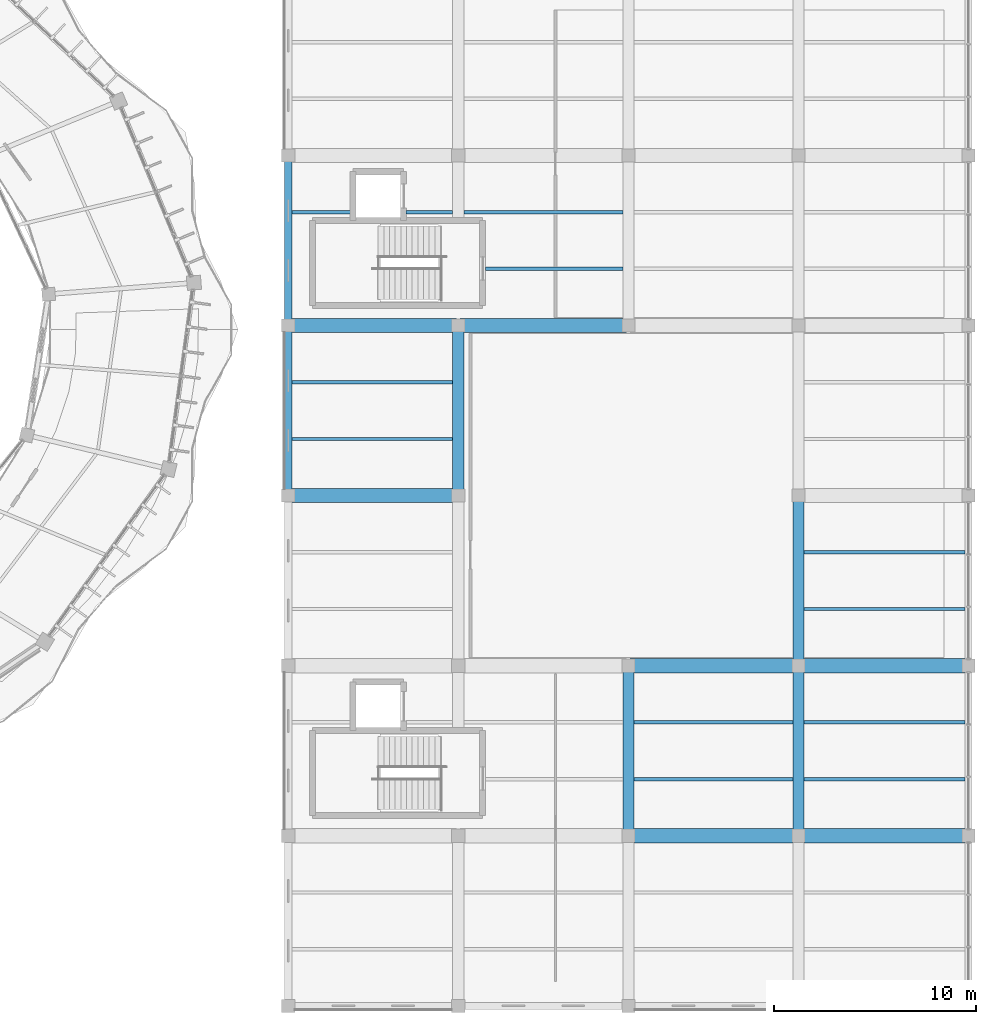
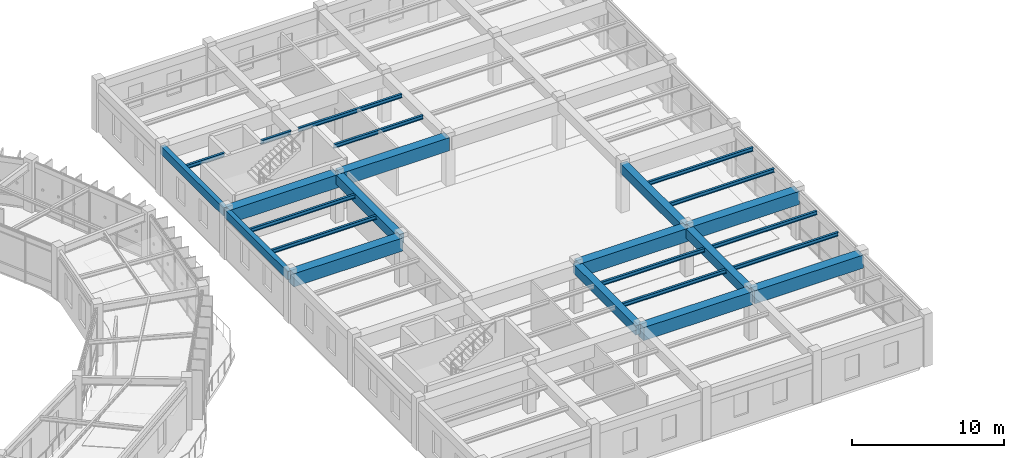
# One storey, part 92 of 138: 25 beams.
"""IFC4 building model written with IfcOpenShell, lengths in metres."""

from ifc_helpers import new_model, si_unit, direction, frame, origin, origin_2d, place, context, subcontext, project, spatial, rectangle, i_section, extrude, material, material_profile, profile_set, type_object, element, save


model = new_model("IFC4")

# Units and contexts
model_context = context("Model", 3, precision=1e-05, world=origin(), true_north=direction((0.0, 1.0)))
body_context = subcontext(model_context, "Body", "Model", "MODEL_VIEW")
ifc_project = project(units=[si_unit("LENGTHUNIT", "METRE"), si_unit("AREAUNIT", "SQUARE_METRE"), si_unit("VOLUMEUNIT", "CUBIC_METRE"), si_unit("PLANEANGLEUNIT", "RADIAN"), si_unit("MASSUNIT", "GRAM", prefix="KILO"), si_unit("THERMODYNAMICTEMPERATUREUNIT", "KELVIN"), si_unit("POWERUNIT", "WATT")], contexts=[model_context])

# Site, building, storey
site_placement = place(None, origin())
site = spatial("IfcSite", under=ifc_project, at=site_placement, CompositionType="ELEMENT")
building_placement = place(site_placement, origin())
building = spatial("IfcBuilding", under=site, at=building_placement, Name="Darbajah Civic Hall", CompositionType="ELEMENT")
storey_placement = place(building_placement, frame((0.0, 0.0, 9.60009765625)))
storey = spatial("IfcBuildingStorey", under=building, at=storey_placement, Name="L02", CompositionType="ELEMENT", Elevation=9.60009765625)

# Beams
ifc_material_1 = material(Name="Concrete C45/55", Category="concrete")
ifc_material_profile_1 = material_profile(ifc_material_1, rectangle(XDim=0.550048828125, YDim=0.75, at=origin_2d()), Name="RC BEAM 550x750")
ifc_profile_set_1 = profile_set([ifc_material_profile_1], Name="Concrete C45/55")
beam_type_1 = type_object("IfcBeamType", Name="RC BEAM 550x750", PredefinedType="BEAM", material=ifc_profile_set_1)
beam_1_placement = place(storey_placement, frame((153.0, 81.679931640625, 3.48486328125), z_axis=(0.0, 1.0, 0.0), x_axis=(-1.0, 0.0, 0.0)))
element("IfcBeam", 1, at=beam_1_placement, inside=storey, type_object=beam_type_1, Name="L02 beam BM-5575", PredefinedType="BEAM", context=body_context, shape_type="SweptSolid", body=[
    extrude(rectangle(XDim=0.550048828125, YDim=0.75, at=origin_2d()), origin(), (0.0, 0.0, 1.0), 8.239990234375),
])
for number, where, z_axis, x_axis, name in (
    (2, (161.39990234375, 64.8798828125, 3.48486328125), (0.0, 1.0, 0.0), (-1.0, 0.0, 0.0), "L02 beam BM-5575"),
    (3, (169.800048828125, 64.8798828125, 3.48486328125), (0.0, 1.0, 0.0), (-1.0, 0.0, 0.0), "L02 beam BM-5575"),
):
    element("IfcBeam", number, at=place(storey_placement, frame(where, z_axis=z_axis, x_axis=x_axis)), inside=storey, type_object=beam_type_1, Name=name, PredefinedType="BEAM", context=body_context, shape_type="SweptSolid", body=[
        extrude(rectangle(XDim=0.550048828125, YDim=0.75, at=origin_2d()), origin(), (0.0, 0.0, 1.0), 8.240234375),
    ])
beam_2_placement = place(storey_placement, frame((169.800048828125, 73.280029296875, 3.48486328125), z_axis=(0.0, 1.0, 0.0), x_axis=(-1.0, 0.0, 0.0)))
element("IfcBeam", 4, at=beam_2_placement, inside=storey, type_object=beam_type_1, Name="L02 beam BM-5575", PredefinedType="BEAM", context=body_context, shape_type="SweptSolid", body=[
    extrude(rectangle(XDim=0.550048828125, YDim=0.75, at=origin_2d()), origin(), (0.0, 0.0, 1.0), 8.239990234375),
])
ifc_material_2 = material(Name="Concrete C50/60", Category="concrete")
ifc_material_profile_2 = material_profile(ifc_material_2, rectangle(XDim=0.699951171875, YDim=1.050048828125, at=origin_2d()), Name="RC GIRDER 700x1050")
ifc_profile_set_2 = profile_set([ifc_material_profile_2], Name="Concrete C50/60")
beam_type_2 = type_object("IfcBeamType", Name="RC GIRDER 700x1050", PredefinedType="BEAM", material=ifc_profile_set_2)
beam_3_placement = place(storey_placement, frame((161.47998046875, 64.800048828125, 3.3349609375), z_axis=(1.0, 0.0, 0.0), x_axis=(0.0, 1.0, 0.0)))
element("IfcBeam", 5, at=beam_3_placement, inside=storey, type_object=beam_type_2, Name="L02 beam BG-7010", PredefinedType="BEAM", context=body_context, shape_type="SweptSolid", body=[
    extrude(rectangle(XDim=0.699951171875, YDim=1.050048828125, at=origin_2d()), origin(), (0.0, 0.0, 1.0), 8.239990234375),
])
beam_4_placement = place(storey_placement, frame((169.8798828125, 64.800048828125, 3.3349609375), z_axis=(1.0, 0.0, 0.0), x_axis=(0.0, 1.0, 0.0)))
element("IfcBeam", 6, at=beam_4_placement, inside=storey, type_object=beam_type_2, Name="L02 beam BG-7010", PredefinedType="BEAM", context=body_context, shape_type="SweptSolid", body=[
    extrude(rectangle(XDim=0.699951171875, YDim=1.050048828125, at=origin_2d()), origin(), (0.0, 0.0, 1.0), 8.240234375),
])
beam_5_placement = place(storey_placement, frame((161.47998046875, 73.199951171875, 3.3349609375), z_axis=(1.0, 0.0, 0.0), x_axis=(0.0, 1.0, 0.0)))
element("IfcBeam", 7, at=beam_5_placement, inside=storey, type_object=beam_type_2, Name="L02 beam BG-7010", PredefinedType="BEAM", context=body_context, shape_type="SweptSolid", body=[
    extrude(rectangle(XDim=0.699951171875, YDim=1.050048828125, at=origin_2d()), origin(), (0.0, 0.0, 1.0), 8.239990234375),
])
beam_6_placement = place(storey_placement, frame((169.8798828125, 73.199951171875, 3.3349609375), z_axis=(1.0, 0.0, 0.0), x_axis=(0.0, 1.0, 0.0)))
element("IfcBeam", 8, at=beam_6_placement, inside=storey, type_object=beam_type_2, Name="L02 beam BG-7010", PredefinedType="BEAM", context=body_context, shape_type="SweptSolid", body=[
    extrude(rectangle(XDim=0.699951171875, YDim=1.050048828125, at=origin_2d()), origin(), (0.0, 0.0, 1.0), 8.240234375),
])
for number, where, z_axis, x_axis, name in (
    (9, (144.679931640625, 81.60009765625, 3.3349609375), (1.0, 0.0, 0.0), (0.0, 1.0, 0.0), "L02 beam BG-7010"),
    (10, (144.679931640625, 90.0, 3.3349609375), (1.0, 0.0, 0.0), (0.0, 1.0, 0.0), "L02 beam BG-7010"),
    (11, (153.080078125, 90.0, 3.3349609375), (1.0, 0.0, 0.0), (0.0, 1.0, 0.0), "L02 beam BG-7010"),
):
    element("IfcBeam", number, at=place(storey_placement, frame(where, z_axis=z_axis, x_axis=x_axis)), inside=storey, type_object=beam_type_2, Name=name, PredefinedType="BEAM", context=body_context, shape_type="SweptSolid", body=[
        extrude(rectangle(XDim=0.699951171875, YDim=1.050048828125, at=origin_2d()), origin(), (0.0, 0.0, 1.0), 8.239990234375),
    ])
ifc_material_profile_3 = material_profile(ifc_material_1, rectangle(XDim=0.35009765625, YDim=0.64990234375, at=origin_2d()), Name="RC SPANDREL 350x650")
ifc_profile_set_3 = profile_set([ifc_material_profile_3], Name="Concrete C45/55")
beam_type_3 = type_object("IfcBeamType", Name="RC SPANDREL 350x650", PredefinedType="SPANDREL", material=ifc_profile_set_3)
for number, where, z_axis, x_axis, name in (
    (12, (144.60009765625, 81.679931640625, 3.534912109375), (0.0, 1.0, 0.0), (-1.0, 0.0, 0.0), "L02 beam SP-3565"),
    (13, (144.60009765625, 90.080078125, 3.534912109375), (0.0, 1.0, 0.0), (-1.0, 0.0, 0.0), "L02 beam SP-3565"),
):
    element("IfcBeam", number, at=place(storey_placement, frame(where, z_axis=z_axis, x_axis=x_axis)), inside=storey, type_object=beam_type_3, Name=name, PredefinedType="SPANDREL", context=body_context, shape_type="SweptSolid", body=[
        extrude(rectangle(XDim=0.35009765625, YDim=0.64990234375, at=origin_2d()), origin(), (0.0, 0.0, 1.0), 8.239990234375),
    ])
ifc_material_3 = material(Name="Steel S355JR", Category="steel")
ifc_material_profile_4 = material_profile(ifc_material_3, i_section(OverallWidth=0.165771484375, OverallDepth=0.306640625, WebThickness=0.006591796875, FlangeThickness=0.01171875, FilletRadius=0.0087890625, at=origin_2d()), Name="UB 305x165x46")
ifc_profile_set_4 = profile_set([ifc_material_profile_4], Name="Steel S355JR")
beam_type_4 = type_object("IfcBeamType", Name="UB 305x165x46", PredefinedType="JOIST", material=ifc_profile_set_4)
for number, where, z_axis, x_axis, name in (
    (14, (144.77490234375, 84.39990234375, 3.70654296875), (1.0, 0.0, 0.0), (0.0, 1.0, 0.0), "L02 beam SJ-305"),
    (15, (144.77490234375, 87.199951171875, 3.70654296875), (1.0, 0.0, 0.0), (0.0, 1.0, 0.0), "L02 beam SJ-305"),
):
    element("IfcBeam", number, at=place(storey_placement, frame(where, z_axis=z_axis, x_axis=x_axis)), inside=storey, type_object=beam_type_4, Name=name, PredefinedType="JOIST", context=body_context, shape_type="SweptSolid", body=[
        extrude(i_section(OverallWidth=0.165771484375, OverallDepth=0.306640625, WebThickness=0.006591796875, FlangeThickness=0.01171875, FilletRadius=0.0087890625, at=origin_2d()), origin(), (0.0, 0.0, 1.0), 7.9501953125),
    ])
beam_7_placement = place(storey_placement, frame((144.77490234375, 95.60009765625, 3.70654296875), z_axis=(1.0, 0.0, 0.0), x_axis=(0.0, 1.0, 0.0)))
element("IfcBeam", 16, at=beam_7_placement, inside=storey, type_object=beam_type_4, Name="L02 beam SJ-305", PredefinedType="JOIST", context=body_context, shape_type="SweptSolid", body=[
    extrude(i_section(OverallWidth=0.165771484375, OverallDepth=0.306640625, WebThickness=0.006591796875, FlangeThickness=0.01171875, FilletRadius=0.0087890625, at=origin_2d()), origin(), (0.0, 0.0, 1.0), 2.905029296875),
])
beam_8_placement = place(storey_placement, frame((150.419921875, 95.60009765625, 3.70654296875), z_axis=(1.0, 0.0, 0.0), x_axis=(0.0, 1.0, 0.0)))
element("IfcBeam", 17, at=beam_8_placement, inside=storey, type_object=beam_type_4, Name="L02 beam SJ-305", PredefinedType="JOIST", context=body_context, shape_type="SweptSolid", body=[
    extrude(i_section(OverallWidth=0.165771484375, OverallDepth=0.306640625, WebThickness=0.006591796875, FlangeThickness=0.01171875, FilletRadius=0.0087890625, at=origin_2d()), origin(), (0.0, 0.0, 1.0), 2.30517578125),
])
beam_9_placement = place(storey_placement, frame((154.340087890625, 92.800048828125, 3.70654296875), z_axis=(1.0, 0.0, 0.0), x_axis=(0.0, 1.0, 0.0)))
element("IfcBeam", 18, at=beam_9_placement, inside=storey, type_object=beam_type_4, Name="L02 beam SJ-305", PredefinedType="JOIST", context=body_context, shape_type="SweptSolid", body=[
    extrude(i_section(OverallWidth=0.165771484375, OverallDepth=0.306640625, WebThickness=0.006591796875, FlangeThickness=0.01171875, FilletRadius=0.0087890625, at=origin_2d()), origin(), (0.0, 0.0, 1.0), 6.784912109375),
])
beam_10_placement = place(storey_placement, frame((153.27490234375, 95.60009765625, 3.70654296875), z_axis=(1.0, 0.0, 0.0), x_axis=(0.0, 1.0, 0.0)))
element("IfcBeam", 19, at=beam_10_placement, inside=storey, type_object=beam_type_4, Name="L02 beam SJ-305", PredefinedType="JOIST", context=body_context, shape_type="SweptSolid", body=[
    extrude(i_section(OverallWidth=0.165771484375, OverallDepth=0.306640625, WebThickness=0.006591796875, FlangeThickness=0.01171875, FilletRadius=0.0087890625, at=origin_2d()), origin(), (0.0, 0.0, 1.0), 7.85009765625),
])
for number, where, z_axis, x_axis, name in (
    (20, (161.675048828125, 67.60009765625, 3.70654296875), (1.0, 0.0, 0.0), (0.0, 1.0, 0.0), "L02 beam SJ-305"),
    (21, (161.675048828125, 70.39990234375, 3.70654296875), (1.0, 0.0, 0.0), (0.0, 1.0, 0.0), "L02 beam SJ-305"),
):
    element("IfcBeam", number, at=place(storey_placement, frame(where, z_axis=z_axis, x_axis=x_axis)), inside=storey, type_object=beam_type_4, Name=name, PredefinedType="JOIST", context=body_context, shape_type="SweptSolid", body=[
        extrude(i_section(OverallWidth=0.165771484375, OverallDepth=0.306640625, WebThickness=0.006591796875, FlangeThickness=0.01171875, FilletRadius=0.0087890625, at=origin_2d()), origin(), (0.0, 0.0, 1.0), 7.849853515625),
    ])
for number, where, z_axis, x_axis, name in (
    (22, (170.074951171875, 67.60009765625, 3.70654296875), (1.0, 0.0, 0.0), (0.0, 1.0, 0.0), "L02 beam SJ-305"),
    (23, (170.074951171875, 70.39990234375, 3.70654296875), (1.0, 0.0, 0.0), (0.0, 1.0, 0.0), "L02 beam SJ-305"),
    (24, (170.074951171875, 76.0, 3.70654296875), (1.0, 0.0, 0.0), (0.0, 1.0, 0.0), "L02 beam SJ-305"),
    (25, (170.074951171875, 78.800048828125, 3.70654296875), (1.0, 0.0, 0.0), (0.0, 1.0, 0.0), "L02 beam SJ-305"),
):
    element("IfcBeam", number, at=place(storey_placement, frame(where, z_axis=z_axis, x_axis=x_axis)), inside=storey, type_object=beam_type_4, Name=name, PredefinedType="JOIST", context=body_context, shape_type="SweptSolid", body=[
        extrude(i_section(OverallWidth=0.165771484375, OverallDepth=0.306640625, WebThickness=0.006591796875, FlangeThickness=0.01171875, FilletRadius=0.0087890625, at=origin_2d()), origin(), (0.0, 0.0, 1.0), 7.949951171875),
    ])

save(model, "model.ifc")
